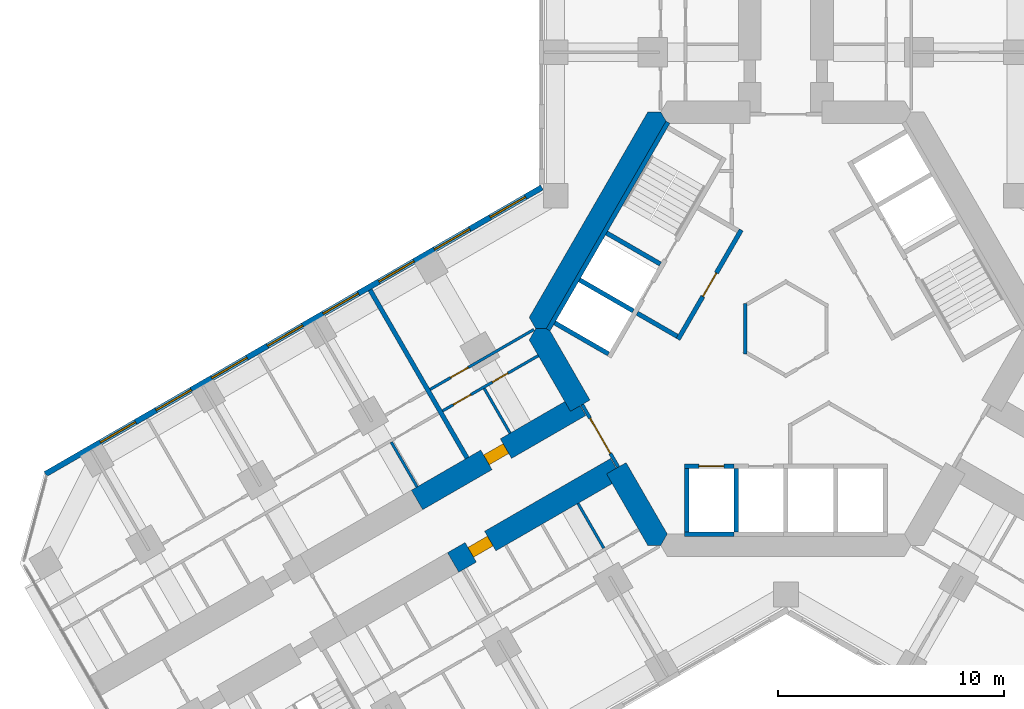
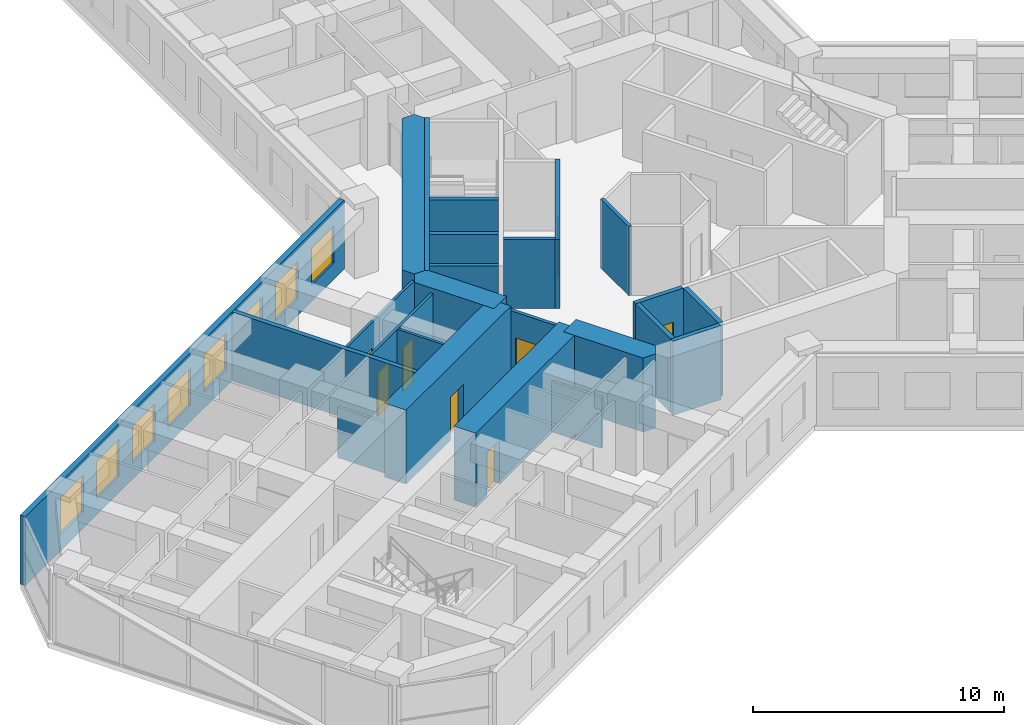
# One storey, part 12 of 21: 24 walls, 8 doors, 8 windows, 16 openings.
"""IFC4 building model written with IfcOpenShell, lengths in metres."""

from ifc_helpers import new_model, si_unit, direction, frame, frame_2d, origin, place, context, subcontext, project, spatial, polyline, rectangle, outline, extrude, material, layer, layer_set, type_object, element, fill, save


model = new_model("IFC4")

# Units and contexts
model_context = context("Model", 3, precision=1e-05, world=origin(), true_north=direction((0.0, 1.0)))
body_context = subcontext(model_context, "Body", "Model", "MODEL_VIEW")
ifc_project = project(units=[si_unit("LENGTHUNIT", "METRE"), si_unit("AREAUNIT", "SQUARE_METRE"), si_unit("VOLUMEUNIT", "CUBIC_METRE"), si_unit("PLANEANGLEUNIT", "RADIAN"), si_unit("MASSUNIT", "GRAM", prefix="KILO")], contexts=[model_context])

# Site, building, storey
site_placement = place(None, origin())
site = spatial("IfcSite", under=ifc_project, at=site_placement, CompositionType="ELEMENT")
building_placement = place(site_placement, origin())
building = spatial("IfcBuilding", under=site, at=building_placement, Name="Kosmar Iwan School Tower", CompositionType="ELEMENT")
storey_placement = place(building_placement, frame((0.0, 0.0, 43.0)))
storey = spatial("IfcBuildingStorey", under=building, at=storey_placement, Name="L09", CompositionType="ELEMENT", Elevation=43.0)

# Walls
ifc_material_1 = material(Name="Gypsum board on steel studs, fire-rated", Category="steel")
ifc_layer_1 = layer(ifc_material_1, 0.14990234375)
ifc_layer_set_1 = layer_set([ifc_layer_1], Name="Core room partition 150")
wall_type_1 = type_object("IfcWallType", Name="Core room partition 150", PredefinedType="PARTITIONING", material=ifc_layer_set_1)
wall_1_placement = place(storey_placement, frame((-1.800048828125, -1.1142578125, 0.0), z_axis=(0.0, 0.0, 1.0), x_axis=(0.0, 1.0, 0.0)))
element("IfcWall", 1, at=wall_1_placement, inside=storey, type_object=wall_type_1, Name="Core room partition L09-CW6", PredefinedType="PARTITIONING", context=body_context, shape_type="SweptSolid", body=[
    extrude(rectangle(XDim=2.228515625, YDim=0.14990234375, at=frame_2d((1.1142578125, 0.0))), origin(), (0.0, 0.0, 1.0), 3.35009765625),
])
ifc_material_2 = material(Name="Concrete C50/60", Category="concrete")
ifc_layer_2 = layer(ifc_material_2, 1.0)
ifc_layer_set_2 = layer_set([ifc_layer_2], Name="Core wall 1000")
wall_type_2 = type_object("IfcWallType", Name="Core wall 1000", PredefinedType="SHEAR", material=ifc_layer_set_2)
wall_2_placement = place(storey_placement, origin())
element("IfcWall", 2, at=wall_2_placement, inside=storey, type_object=wall_type_2, Name="Core wall F150", PredefinedType="SHEAR", context=body_context, shape_type="SweptSolid", body=[
    extrude(outline(polyline([(-11.085205078125, 0.0), (-10.5078125, 0.0), (-5.25390625, 9.10009765625), (-5.54248046875, 9.60009765625), (-6.119873046875, 9.60009765625), (-11.373779296875, 0.5), (-11.085205078125, 0.0)])), origin(), (0.0, 0.0, 1.0), 3.60009765625),
])
wall_3_placement = place(storey_placement, origin())
element("IfcWall", 3, at=wall_3_placement, inside=storey, type_object=wall_type_2, Name="Core wall F210a", PredefinedType="SHEAR", context=body_context, shape_type="SweptSolid", body=[
    extrude(outline(polyline([(-9.546875, -3.664306640625), (-8.680908203125, -3.164306640625), (-10.5078125, 0.0), (-11.085205078125, 0.0), (-11.373779296875, -0.5), (-9.546875, -3.664306640625)])), origin(), (0.0, 0.0, 1.0), 3.60009765625),
])
wall_4_placement = place(storey_placement, origin())
element("IfcWall", 4, at=wall_4_placement, inside=storey, type_object=wall_type_2, Name="Core wall F210b", PredefinedType="SHEAR", context=body_context, shape_type="SweptSolid", body=[
    extrude(outline(polyline([(-6.119873046875, -9.60009765625), (-5.54248046875, -9.60009765625), (-5.25390625, -9.10009765625), (-7.080810546875, -5.935546875), (-7.94677734375, -6.435546875), (-6.119873046875, -9.60009765625)])), origin(), (0.0, 0.0, 1.0), 3.60009765625),
])

# Wall, opening, door
ifc_material_3 = material(Name="Concrete C50/60", Category="concrete")
ifc_layer_3 = layer(ifc_material_3, 1.0)
ifc_layer_set_3 = layer_set([ifc_layer_3], Name="Corridor buttress wall 1000")
wall_type_3 = type_object("IfcWallType", Name="Corridor buttress wall 1000", PredefinedType="SHEAR", material=ifc_layer_set_3)
wall_5_placement = place(storey_placement, frame((-7.513916015625, -6.185546875, 0.0), z_axis=(0.0, 0.0, 1.0), x_axis=(-0.866019549707, -0.500010139422, 0.0)))
wall_5 = element("IfcWall", 5, at=wall_5_placement, inside=storey, type_object=wall_type_3, Name="Corridor wall BL", PredefinedType="SHEAR", context=body_context, shape_type="SweptSolid", body=[
    extrude(rectangle(XDim=8.349853515625, YDim=1.0, at=frame_2d((4.1748046875, 0.0))), origin(), (0.0, 0.0, 1.0), 3.60009765625),
])
opening_1_placement = place(wall_5_placement, frame((6.449951171875, 0.0, 0.0)))
opening_1 = element("IfcOpeningElement", 6, at=opening_1_placement, cuts=wall_5, Name="Opening D1", PredefinedType="OPENING", context=body_context, shape_type="SweptSolid", body=[
    extrude(rectangle(XDim=1.0, YDim=2.10009765625, at=frame_2d((0.5, 1.050048828125))), frame((0.0, 0.511962890625, 0.0), z_axis=(0.0, -1.0, 0.0), x_axis=(1.0, 0.0, 0.0)), (0.0, 0.0, 1.0), 1.02392578125),
])
ifc_material_4 = material(Name="Timber fire door in steel frame", Category="steel")
door_type_1 = type_object("IfcDoorType", Name="Flat entrance door 1000x2100", OperationType="SINGLE_SWING_LEFT", PredefinedType="DOOR", material=ifc_material_4)
door_1_placement = place(opening_1_placement, origin())
door_1 = element("IfcDoor", 7, at=door_1_placement, inside=storey, type_object=door_type_1, Name="Flat L09-BL1 entrance door", OperationType="SINGLE_SWING_LEFT", OverallHeight=2.10009765625, OverallWidth=1.0, PredefinedType="DOOR", context=body_context, shape_type="SweptSolid", body=[
    extrude(rectangle(XDim=1.0, YDim=2.10009765625, at=frame_2d((0.5, 1.050048828125))), frame((0.0, 0.25, 0.0), z_axis=(0.0, -1.0, 0.0), x_axis=(1.0, 0.0, 0.0)), (0.0, 0.0, 1.0), 0.5),
])
fill(opening_1, door_1)

wall_6_placement = place(storey_placement, frame((-9.11376953125, -3.414306640625, 0.0), z_axis=(0.0, 0.0, 1.0), x_axis=(-0.866026859388, -0.499997478812, 0.0)))
wall_6 = element("IfcWall", 8, at=wall_6_placement, inside=storey, type_object=wall_type_3, Name="Corridor wall BR", PredefinedType="SHEAR", context=body_context, shape_type="SweptSolid", body=[
    extrude(rectangle(XDim=8.35009765625, YDim=1.0, at=frame_2d((4.175048828125, 0.0))), origin(), (0.0, 0.0, 1.0), 3.60009765625),
])
opening_2_placement = place(wall_6_placement, frame((3.800048828125, 0.0, 0.0)))
opening_2 = element("IfcOpeningElement", 9, at=opening_2_placement, cuts=wall_6, Name="Opening D1", PredefinedType="OPENING", context=body_context, shape_type="SweptSolid", body=[
    extrude(rectangle(XDim=1.0, YDim=2.10009765625, at=frame_2d((0.5, 1.050048828125))), frame((0.0, 0.511962890625, 0.0), z_axis=(0.0, -1.0, 0.0), x_axis=(1.0, 0.0, 0.0)), (0.0, 0.0, 1.0), 1.02392578125),
])
door_2_placement = place(opening_2_placement, origin())
door_2 = element("IfcDoor", 10, at=door_2_placement, inside=storey, type_object=door_type_1, Name="Flat L09-BR1 entrance door", OperationType="SINGLE_SWING_RIGHT", OverallHeight=2.10009765625, OverallWidth=1.0, PredefinedType="DOOR", context=body_context, shape_type="SweptSolid", body=[
    extrude(rectangle(XDim=1.0, YDim=2.10009765625, at=frame_2d((0.5, 1.050048828125))), frame((0.0, 0.25, 0.0), z_axis=(0.0, -1.0, 0.0), x_axis=(1.0, 0.0, 0.0)), (0.0, 0.0, 1.0), 0.5),
])
fill(opening_2, door_2)

ifc_material_5 = material(Name="Steel framed glazed screen", Category="steel")
ifc_layer_4 = layer(ifc_material_5, 0.14990234375)
ifc_layer_set_4 = layer_set([ifc_layer_4], Name="Corridor screen wall 150")
wall_type_4 = type_object("IfcWallType", Name="Corridor screen wall 150", PredefinedType="PARTITIONING", material=ifc_layer_set_4)
wall_7_placement = place(storey_placement, frame((-9.02734375, -3.3642578125, 0.0), z_axis=(0.0, 0.0, 1.0), x_axis=(0.499995408039, -0.866028054938, 0.0)))
wall_7 = element("IfcWall", 11, at=wall_7_placement, inside=storey, type_object=wall_type_4, Name="Corridor screen B L09", PredefinedType="PARTITIONING", context=body_context, shape_type="SweptSolid", body=[
    extrude(rectangle(XDim=3.2001953125, YDim=0.14990234375, at=frame_2d((1.60009765625, 0.0))), origin(), (0.0, 0.0, 1.0), 3.35009765625),
])
opening_3_placement = place(wall_7_placement, frame((0.699951171875, 0.0, 0.0)))
opening_3 = element("IfcOpeningElement", 12, at=opening_3_placement, cuts=wall_7, Name="Opening D9", PredefinedType="OPENING", context=body_context, shape_type="SweptSolid", body=[
    extrude(rectangle(XDim=1.800048828125, YDim=2.10009765625, at=frame_2d((0.89990234375, 1.050048828125))), frame((0.0, 0.0869140625, 0.0), z_axis=(0.0, -1.0, 0.0), x_axis=(1.0, 0.0, 0.0)), (0.0, 0.0, 1.0), 0.173828125),
])
ifc_material_6 = material(Name="Steel framed glazed smoke door", Category="steel")
door_type_2 = type_object("IfcDoorType", Name="Corridor smoke door pair 1800x2100", OperationType="DOUBLE_DOOR_DOUBLE_SWING", PredefinedType="DOOR", material=ifc_material_6)
door_3_placement = place(opening_3_placement, origin())
door_3 = element("IfcDoor", 13, at=door_3_placement, inside=storey, type_object=door_type_2, Name="Corridor doors B L09", OperationType="DOUBLE_DOOR_DOUBLE_SWING", OverallHeight=2.10009765625, OverallWidth=1.800048828125, PredefinedType="DOOR", context=body_context, shape_type="SweptSolid", body=[
    extrude(rectangle(XDim=1.800048828125, YDim=2.10009765625, at=frame_2d((0.89990234375, 1.050048828125))), frame((0.0, 0.02490234375, 0.0), z_axis=(0.0, -1.0, 0.0), x_axis=(1.0, 0.0, 0.0)), (0.0, 0.0, 1.0), 0.050048828125),
])
fill(opening_3, door_3)

# Wall
ifc_material_7 = material(Name="Gypsum board on steel studs", Category="steel")
ifc_layer_5 = layer(ifc_material_7, 0.1201171875)
ifc_layer_set_5 = layer_set([ifc_layer_5], Name="Dwelling partition 120")
wall_type_5 = type_object("IfcWallType", Name="Dwelling partition 120", PredefinedType="PARTITIONING", material=ifc_layer_set_5)
wall_8_placement = place(storey_placement, frame((-9.21240234375, -7.74365234375, 0.0), z_axis=(0.0, 0.0, 1.0), x_axis=(0.500014693593, -0.866016920268, 0.0)))
element("IfcWall", 14, at=wall_8_placement, inside=storey, type_object=wall_type_5, Name="Partition L09-BL1-Y1", PredefinedType="PARTITIONING", context=body_context, shape_type="SweptSolid", body=[
    extrude(rectangle(XDim=2.2900390625, YDim=0.1201171875, at=frame_2d((1.14501953125, 0.0))), origin(), (0.0, 0.0, 1.0), 2.449951171875),
])

# Wall, openings, doors
wall_9_placement = place(storey_placement, frame((-10.971923828125, -1.1962890625, 0.0), z_axis=(0.0, 0.0, 1.0), x_axis=(-0.866023786258, -0.500002801628, 0.0)))
wall_9 = element("IfcWall", 15, at=wall_9_placement, inside=storey, type_object=wall_type_5, Name="Partition L09-BR1-W1", PredefinedType="PARTITIONING", context=body_context, shape_type="SweptSolid", body=[
    extrude(rectangle(XDim=4.89990234375, YDim=0.1201171875, at=frame_2d((2.449951171875, 0.0))), origin(), (0.0, 0.0, 1.0), 3.35009765625),
])
opening_4_placement = place(wall_9_placement, frame((1.550048828125, 0.0, 0.0)))
opening_4 = element("IfcOpeningElement", 16, at=opening_4_placement, cuts=wall_9, Name="Opening D3", PredefinedType="OPENING", context=body_context, shape_type="SweptSolid", body=[
    extrude(rectangle(XDim=0.800048828125, YDim=2.10009765625, at=frame_2d((0.39990234375, 1.050048828125))), frame((0.0, 0.072021484375, 0.0), z_axis=(0.0, -1.0, 0.0), x_axis=(1.0, 0.0, 0.0)), (0.0, 0.0, 1.0), 0.14404296875),
])
opening_5_placement = place(wall_9_placement, frame((3.449951171875, 0.0, 0.0)))
opening_5 = element("IfcOpeningElement", 17, at=opening_5_placement, cuts=wall_9, Name="Opening D2", PredefinedType="OPENING", context=body_context, shape_type="SweptSolid", body=[
    extrude(rectangle(XDim=0.89990234375, YDim=2.10009765625, at=frame_2d((0.449951171875, 1.050048828125))), frame((0.0, 0.072021484375, 0.0), z_axis=(0.0, -1.0, 0.0), x_axis=(1.0, 0.0, 0.0)), (0.0, 0.0, 1.0), 0.14404296875),
])
ifc_material_8 = material(Name="Timber door in timber frame", Category="wood")
door_type_3 = type_object("IfcDoorType", Name="Internal door 900x2100", OperationType="SINGLE_SWING_LEFT", PredefinedType="DOOR", material=ifc_material_8)
door_4_placement = place(opening_5_placement, origin())
door_4 = element("IfcDoor", 18, at=door_4_placement, inside=storey, type_object=door_type_3, Name="Entrance hall door L09-BR1-S2", OperationType="SINGLE_SWING_RIGHT", OverallHeight=2.10009765625, OverallWidth=0.89990234375, PredefinedType="DOOR", context=body_context, shape_type="SweptSolid", body=[
    extrude(rectangle(XDim=0.89990234375, YDim=2.10009765625, at=frame_2d((0.449951171875, 1.050048828125))), frame((0.0, 0.02490234375, 0.0), z_axis=(0.0, -1.0, 0.0), x_axis=(1.0, 0.0, 0.0)), (0.0, 0.0, 1.0), 0.050048828125),
])
fill(opening_5, door_4)
ifc_material_9 = material(Name="Timber door in timber frame", Category="wood")
door_type_4 = type_object("IfcDoorType", Name="Sanitary room door 800x2100", OperationType="SINGLE_SWING_LEFT", PredefinedType="DOOR", material=ifc_material_9)
door_5_placement = place(opening_4_placement, origin())
door_5 = element("IfcDoor", 19, at=door_5_placement, inside=storey, type_object=door_type_4, Name="Bathroom door L09-BR1-S1", OperationType="SINGLE_SWING_RIGHT", OverallHeight=2.10009765625, OverallWidth=0.800048828125, PredefinedType="DOOR", context=body_context, shape_type="SweptSolid", body=[
    extrude(rectangle(XDim=0.800048828125, YDim=2.10009765625, at=frame_2d((0.39990234375, 1.050048828125))), frame((0.0, 0.02490234375, 0.0), z_axis=(0.0, -1.0, 0.0), x_axis=(1.0, 0.0, 0.0)), (0.0, 0.0, 1.0), 0.050048828125),
])
fill(opening_4, door_5)

# Wall, opening, door
wall_10_placement = place(storey_placement, frame((-11.167724609375, -0.0390625, 0.0), z_axis=(0.0, 0.0, 1.0), x_axis=(-0.866018638731, -0.500011717233, 0.0)))
wall_10 = element("IfcWall", 20, at=wall_10_placement, inside=storey, type_object=wall_type_5, Name="Partition L09-BR1-W2", PredefinedType="PARTITIONING", context=body_context, shape_type="SweptSolid", body=[
    extrude(rectangle(XDim=5.308837890625, YDim=0.1201171875, at=frame_2d((2.654296875, 0.0))), origin(), (0.0, 0.0, 1.0), 3.35009765625),
])
opening_6_placement = place(wall_10_placement, frame((3.35888671875, 0.0, 0.0)))
opening_6 = element("IfcOpeningElement", 21, at=opening_6_placement, cuts=wall_10, Name="Opening D2", PredefinedType="OPENING", context=body_context, shape_type="SweptSolid", body=[
    extrude(rectangle(XDim=0.89990234375, YDim=2.10009765625, at=frame_2d((0.449951171875, 1.050048828125))), frame((0.0, 0.072021484375, 0.0), z_axis=(0.0, -1.0, 0.0), x_axis=(1.0, 0.0, 0.0)), (0.0, 0.0, 1.0), 0.14404296875),
])
door_6_placement = place(opening_6_placement, origin())
door_6 = element("IfcDoor", 22, at=door_6_placement, inside=storey, type_object=door_type_3, Name="Studio living room and kitchen door L09-BR1-F1", OperationType="SINGLE_SWING_RIGHT", OverallHeight=2.10009765625, OverallWidth=0.89990234375, PredefinedType="DOOR", context=body_context, shape_type="SweptSolid", body=[
    extrude(rectangle(XDim=0.89990234375, YDim=2.10009765625, at=frame_2d((0.449951171875, 1.050048828125))), frame((0.0, 0.02490234375, 0.0), z_axis=(0.0, -1.0, 0.0), x_axis=(1.0, 0.0, 0.0)), (0.0, 0.0, 1.0), 0.050048828125),
])
fill(opening_6, door_6)

# Walls
wall_11_placement = place(storey_placement, frame((-12.2216796875, -4.63134765625, 0.0), z_axis=(0.0, 0.0, 1.0), x_axis=(-0.500014693593, 0.866016920268, 0.0)))
element("IfcWall", 23, at=wall_11_placement, inside=storey, type_object=wall_type_5, Name="Partition L09-BR1-Y1", PredefinedType="PARTITIONING", context=body_context, shape_type="SweptSolid", body=[
    extrude(rectangle(XDim=2.2900390625, YDim=0.1201171875, at=frame_2d((1.14501953125, 0.0))), origin(), (0.0, 0.0, 1.0), 3.35009765625),
])
wall_12_placement = place(storey_placement, frame((-16.341552734375, -7.010009765625, 0.0), z_axis=(0.0, 0.0, 1.0), x_axis=(-0.499968531483, 0.866043571379, 0.0)))
element("IfcWall", 24, at=wall_12_placement, inside=storey, type_object=wall_type_5, Name="Partition L09-BR2-Y1", PredefinedType="PARTITIONING", context=body_context, shape_type="SweptSolid", body=[
    extrude(rectangle(XDim=2.290283203125, YDim=0.1201171875, at=frame_2d((1.14501953125, 0.0))), origin(), (0.0, 0.0, 1.0), 2.449951171875),
])

# Wall, openings, windows
ifc_material_10 = material(Name="Black aluminium rainscreen on insulated framing", Category="aluminium")
ifc_layer_6 = layer(ifc_material_10, 0.25)
ifc_layer_set_6 = layer_set([ifc_layer_6], Name="External wall rainscreen 250")
wall_type_6 = type_object("IfcWallType", Name="External wall rainscreen 250", PredefinedType="SOLIDWALL", material=ifc_layer_set_6)
wall_13_placement = place(storey_placement, frame((-10.8125, 6.257080078125, 0.0), z_axis=(0.0, 0.0, 1.0), x_axis=(-0.86602648281, -0.499998131069, 0.0)))
wall_13 = element("IfcWall", 25, at=wall_13_placement, inside=storey, type_object=wall_type_6, Name="External wall BR L09", PredefinedType="SOLIDWALL", context=body_context, shape_type="SweptSolid", body=[
    extrude(rectangle(XDim=25.39990234375, YDim=0.25, at=frame_2d((12.699951171875, 0.0))), origin(), (0.0, 0.0, 1.0), 3.35009765625),
])
opening_7_placement = place(wall_13_placement, frame((0.839599609375, 0.0, 0.800048828125)))
opening_7 = element("IfcOpeningElement", 26, at=opening_7_placement, cuts=wall_13, Name="Opening W1", PredefinedType="OPENING", context=body_context, shape_type="SweptSolid", body=[
    extrude(rectangle(XDim=1.800048828125, YDim=1.800048828125, at=frame_2d((0.89990234375, 0.89990234375))), frame((0.0, 0.136962890625, 0.0), z_axis=(0.0, -1.0, 0.0), x_axis=(1.0, 0.0, 0.0)), (0.0, 0.0, 1.0), 0.27392578125),
])
opening_8_placement = place(wall_13_placement, frame((3.689697265625, 0.0, 0.800048828125)))
opening_8 = element("IfcOpeningElement", 27, at=opening_8_placement, cuts=wall_13, Name="Opening W1", PredefinedType="OPENING", context=body_context, shape_type="SweptSolid", body=[
    extrude(rectangle(XDim=1.800048828125, YDim=1.800048828125, at=frame_2d((0.89990234375, 0.89990234375))), frame((0.0, 0.136962890625, 0.0), z_axis=(0.0, -1.0, 0.0), x_axis=(1.0, 0.0, 0.0)), (0.0, 0.0, 1.0), 0.27392578125),
])
opening_9_placement = place(wall_13_placement, frame((6.53955078125, 0.0, 0.800048828125)))
opening_9 = element("IfcOpeningElement", 28, at=opening_9_placement, cuts=wall_13, Name="Opening W1", PredefinedType="OPENING", context=body_context, shape_type="SweptSolid", body=[
    extrude(rectangle(XDim=1.800048828125, YDim=1.800048828125, at=frame_2d((0.89990234375, 0.89990234375))), frame((0.0, 0.136962890625, 0.0), z_axis=(0.0, -1.0, 0.0), x_axis=(1.0, 0.0, 0.0)), (0.0, 0.0, 1.0), 0.27392578125),
])
opening_10_placement = place(wall_13_placement, frame((9.3896484375, 0.0, 0.800048828125)))
opening_10 = element("IfcOpeningElement", 29, at=opening_10_placement, cuts=wall_13, Name="Opening W1", PredefinedType="OPENING", context=body_context, shape_type="SweptSolid", body=[
    extrude(rectangle(XDim=1.800048828125, YDim=1.800048828125, at=frame_2d((0.89990234375, 0.89990234375))), frame((0.0, 0.136962890625, 0.0), z_axis=(0.0, -1.0, 0.0), x_axis=(1.0, 0.0, 0.0)), (0.0, 0.0, 1.0), 0.27392578125),
])
opening_11_placement = place(wall_13_placement, frame((12.23974609375, 0.0, 0.800048828125)))
opening_11 = element("IfcOpeningElement", 30, at=opening_11_placement, cuts=wall_13, Name="Opening W1", PredefinedType="OPENING", context=body_context, shape_type="SweptSolid", body=[
    extrude(rectangle(XDim=1.800048828125, YDim=1.800048828125, at=frame_2d((0.89990234375, 0.89990234375))), frame((0.0, 0.136962890625, 0.0), z_axis=(0.0, -1.0, 0.0), x_axis=(1.0, 0.0, 0.0)), (0.0, 0.0, 1.0), 0.27392578125),
])
opening_12_placement = place(wall_13_placement, frame((15.089599609375, 0.0, 0.800048828125)))
opening_12 = element("IfcOpeningElement", 31, at=opening_12_placement, cuts=wall_13, Name="Opening W1", PredefinedType="OPENING", context=body_context, shape_type="SweptSolid", body=[
    extrude(rectangle(XDim=1.800048828125, YDim=1.800048828125, at=frame_2d((0.89990234375, 0.89990234375))), frame((0.0, 0.136962890625, 0.0), z_axis=(0.0, -1.0, 0.0), x_axis=(1.0, 0.0, 0.0)), (0.0, 0.0, 1.0), 0.27392578125),
])
opening_13_placement = place(wall_13_placement, frame((17.939697265625, 0.0, 0.800048828125)))
opening_13 = element("IfcOpeningElement", 32, at=opening_13_placement, cuts=wall_13, Name="Opening W1", PredefinedType="OPENING", context=body_context, shape_type="SweptSolid", body=[
    extrude(rectangle(XDim=1.800048828125, YDim=1.800048828125, at=frame_2d((0.89990234375, 0.89990234375))), frame((0.0, 0.136962890625, 0.0), z_axis=(0.0, -1.0, 0.0), x_axis=(1.0, 0.0, 0.0)), (0.0, 0.0, 1.0), 0.27392578125),
])
opening_14_placement = place(wall_13_placement, frame((20.78955078125, 0.0, 0.800048828125)))
opening_14 = element("IfcOpeningElement", 33, at=opening_14_placement, cuts=wall_13, Name="Opening W1", PredefinedType="OPENING", context=body_context, shape_type="SweptSolid", body=[
    extrude(rectangle(XDim=1.800048828125, YDim=1.800048828125, at=frame_2d((0.89990234375, 0.89990234375))), frame((0.0, 0.136962890625, 0.0), z_axis=(0.0, -1.0, 0.0), x_axis=(1.0, 0.0, 0.0)), (0.0, 0.0, 1.0), 0.27392578125),
])
ifc_material_11 = material(Name="Black aluminium frame with dark triple glazing", Category="aluminium")
window_type = type_object("IfcWindowType", Name="Window 1800x1800", PartitioningType="SINGLE_PANEL", PredefinedType="WINDOW", material=ifc_material_11)
window_1_placement = place(opening_7_placement, origin())
window_1 = element("IfcWindow", 34, at=window_1_placement, inside=storey, type_object=window_type, Name="Window BR L09 -1", OverallHeight=1.800048828125, OverallWidth=1.800048828125, PartitioningType="SINGLE_PANEL", PredefinedType="WINDOW", context=body_context, shape_type="SweptSolid", body=[
    extrude(rectangle(XDim=1.800048828125, YDim=1.800048828125, at=frame_2d((0.89990234375, 0.89990234375))), frame((0.0, 0.030029296875, 0.0), z_axis=(0.0, -1.0, 0.0), x_axis=(1.0, 0.0, 0.0)), (0.0, 0.0, 1.0), 0.06005859375),
])
fill(opening_7, window_1)
window_2_placement = place(opening_8_placement, origin())
window_2 = element("IfcWindow", 35, at=window_2_placement, inside=storey, type_object=window_type, Name="Window BR L09 0", OverallHeight=1.800048828125, OverallWidth=1.800048828125, PartitioningType="SINGLE_PANEL", PredefinedType="WINDOW", context=body_context, shape_type="SweptSolid", body=[
    extrude(rectangle(XDim=1.800048828125, YDim=1.800048828125, at=frame_2d((0.89990234375, 0.89990234375))), frame((0.0, 0.030029296875, 0.0), z_axis=(0.0, -1.0, 0.0), x_axis=(1.0, 0.0, 0.0)), (0.0, 0.0, 1.0), 0.06005859375),
])
fill(opening_8, window_2)
window_3_placement = place(opening_9_placement, origin())
window_3 = element("IfcWindow", 36, at=window_3_placement, inside=storey, type_object=window_type, Name="Window BR L09 1", OverallHeight=1.800048828125, OverallWidth=1.800048828125, PartitioningType="SINGLE_PANEL", PredefinedType="WINDOW", context=body_context, shape_type="SweptSolid", body=[
    extrude(rectangle(XDim=1.800048828125, YDim=1.800048828125, at=frame_2d((0.89990234375, 0.89990234375))), frame((0.0, 0.030029296875, 0.0), z_axis=(0.0, -1.0, 0.0), x_axis=(1.0, 0.0, 0.0)), (0.0, 0.0, 1.0), 0.06005859375),
])
fill(opening_9, window_3)
window_4_placement = place(opening_10_placement, origin())
window_4 = element("IfcWindow", 37, at=window_4_placement, inside=storey, type_object=window_type, Name="Window BR L09 2", OverallHeight=1.800048828125, OverallWidth=1.800048828125, PartitioningType="SINGLE_PANEL", PredefinedType="WINDOW", context=body_context, shape_type="SweptSolid", body=[
    extrude(rectangle(XDim=1.800048828125, YDim=1.800048828125, at=frame_2d((0.89990234375, 0.89990234375))), frame((0.0, 0.030029296875, 0.0), z_axis=(0.0, -1.0, 0.0), x_axis=(1.0, 0.0, 0.0)), (0.0, 0.0, 1.0), 0.06005859375),
])
fill(opening_10, window_4)
window_5_placement = place(opening_11_placement, origin())
window_5 = element("IfcWindow", 38, at=window_5_placement, inside=storey, type_object=window_type, Name="Window BR L09 3", OverallHeight=1.800048828125, OverallWidth=1.800048828125, PartitioningType="SINGLE_PANEL", PredefinedType="WINDOW", context=body_context, shape_type="SweptSolid", body=[
    extrude(rectangle(XDim=1.800048828125, YDim=1.800048828125, at=frame_2d((0.89990234375, 0.89990234375))), frame((0.0, 0.030029296875, 0.0), z_axis=(0.0, -1.0, 0.0), x_axis=(1.0, 0.0, 0.0)), (0.0, 0.0, 1.0), 0.06005859375),
])
fill(opening_11, window_5)
window_6_placement = place(opening_12_placement, origin())
window_6 = element("IfcWindow", 39, at=window_6_placement, inside=storey, type_object=window_type, Name="Window BR L09 4", OverallHeight=1.800048828125, OverallWidth=1.800048828125, PartitioningType="SINGLE_PANEL", PredefinedType="WINDOW", context=body_context, shape_type="SweptSolid", body=[
    extrude(rectangle(XDim=1.800048828125, YDim=1.800048828125, at=frame_2d((0.89990234375, 0.89990234375))), frame((0.0, 0.030029296875, 0.0), z_axis=(0.0, -1.0, 0.0), x_axis=(1.0, 0.0, 0.0)), (0.0, 0.0, 1.0), 0.06005859375),
])
fill(opening_12, window_6)
window_7_placement = place(opening_13_placement, origin())
window_7 = element("IfcWindow", 40, at=window_7_placement, inside=storey, type_object=window_type, Name="Window BR L09 5", OverallHeight=1.800048828125, OverallWidth=1.800048828125, PartitioningType="SINGLE_PANEL", PredefinedType="WINDOW", context=body_context, shape_type="SweptSolid", body=[
    extrude(rectangle(XDim=1.800048828125, YDim=1.800048828125, at=frame_2d((0.89990234375, 0.89990234375))), frame((0.0, 0.030029296875, 0.0), z_axis=(0.0, -1.0, 0.0), x_axis=(1.0, 0.0, 0.0)), (0.0, 0.0, 1.0), 0.06005859375),
])
fill(opening_13, window_7)
window_8_placement = place(opening_14_placement, origin())
window_8 = element("IfcWindow", 41, at=window_8_placement, inside=storey, type_object=window_type, Name="Window BR L09 6", OverallHeight=1.800048828125, OverallWidth=1.800048828125, PartitioningType="SINGLE_PANEL", PredefinedType="WINDOW", context=body_context, shape_type="SweptSolid", body=[
    extrude(rectangle(XDim=1.800048828125, YDim=1.800048828125, at=frame_2d((0.89990234375, 0.89990234375))), frame((0.0, 0.030029296875, 0.0), z_axis=(0.0, -1.0, 0.0), x_axis=(1.0, 0.0, 0.0)), (0.0, 0.0, 1.0), 0.06005859375),
])
fill(opening_14, window_8)

# Wall, opening, door
ifc_material_12 = material(Name="Concrete block masonry", Category="masonry")
ifc_layer_7 = layer(ifc_material_12, 0.199951171875)
ifc_layer_set_7 = layer_set([ifc_layer_7], Name="Fire lobby wall 200")
wall_type_7 = type_object("IfcWallType", Name="Fire lobby wall 200", PredefinedType="PARTITIONING", material=ifc_layer_set_7)
wall_14_placement = place(storey_placement, frame((-1.9775390625, 4.374755859375, 0.0), z_axis=(0.0, 0.0, 1.0), x_axis=(-0.500016814911, -0.866015695474, 0.0)))
wall_14 = element("IfcWall", 42, at=wall_14_placement, inside=storey, type_object=wall_type_7, Name="Firefighting lobby wall ST2", PredefinedType="PARTITIONING", context=body_context, shape_type="SweptSolid", body=[
    extrude(rectangle(XDim=5.599853515625, YDim=0.199951171875, at=frame_2d((2.7998046875, 0.0))), origin(), (0.0, 0.0, 1.0), 3.35009765625),
])
opening_15_placement = place(wall_14_placement, frame((2.199951171875, 0.0, 0.0)))
opening_15 = element("IfcOpeningElement", 43, at=opening_15_placement, cuts=wall_14, Name="Opening D7", PredefinedType="OPENING", context=body_context, shape_type="SweptSolid", body=[
    extrude(rectangle(XDim=1.199951171875, YDim=2.10009765625, at=frame_2d((0.60009765625, 1.050048828125))), frame((0.0, 0.112060546875, 0.0), z_axis=(0.0, -1.0, 0.0), x_axis=(1.0, 0.0, 0.0)), (0.0, 0.0, 1.0), 0.223876953125),
])
ifc_material_13 = material(Name="Steel fire door", Category="steel")
door_type_5 = type_object("IfcDoorType", Name="Fire lobby door 1200x2100", OperationType="SINGLE_SWING_LEFT", PredefinedType="DOOR", material=ifc_material_13)
door_7_placement = place(opening_15_placement, origin())
door_7 = element("IfcDoor", 44, at=door_7_placement, inside=storey, type_object=door_type_5, Name="Firefighting lobby door ST2 L09", OperationType="SINGLE_SWING_RIGHT", OverallHeight=2.10009765625, OverallWidth=1.199951171875, PredefinedType="DOOR", context=body_context, shape_type="SweptSolid", body=[
    extrude(rectangle(XDim=1.199951171875, YDim=2.10009765625, at=frame_2d((0.60009765625, 1.050048828125))), frame((0.0, 0.02490234375, 0.0), z_axis=(0.0, -1.0, 0.0), x_axis=(1.0, 0.0, 0.0)), (0.0, 0.0, 1.0), 0.050048828125),
])
fill(opening_15, door_7)

# Walls
wall_15_placement = place(storey_placement, frame((-4.814208984375, -0.33837890625, 0.0), z_axis=(0.0, 0.0, 1.0), x_axis=(-0.865969381856, 0.500097020274, 0.0)))
element("IfcWall", 45, at=wall_15_placement, inside=storey, type_object=wall_type_7, Name="Firefighting lobby wall ST2", PredefinedType="PARTITIONING", context=body_context, shape_type="SweptSolid", body=[
    extrude(rectangle(XDim=2.0498046875, YDim=0.199951171875, at=frame_2d((1.02490234375, 0.0))), origin(), (0.0, 0.0, 1.0), 3.35009765625),
])
ifc_material_14 = material(Name="Concrete C50/60", Category="concrete")
ifc_layer_8 = layer(ifc_material_14, 0.199951171875)
ifc_layer_set_8 = layer_set([ifc_layer_8], Name="Lift shaft wall 200")
wall_type_8 = type_object("IfcWallType", Name="Lift shaft wall 200", PredefinedType="SHEAR", material=ifc_layer_set_8)
wall_16_placement = place(storey_placement, frame((-5.22509765625, 9.14990234375, 0.0), z_axis=(0.0, 0.0, 1.0), x_axis=(-0.499994998079, -0.866028291626, 0.0)))
element("IfcWall", 46, at=wall_16_placement, inside=storey, type_object=wall_type_8, Name="Lift and stair back wall AB", PredefinedType="SHEAR", context=body_context, shape_type="SweptSolid", body=[
    extrude(rectangle(XDim=10.623046875, YDim=0.199951171875, at=frame_2d((5.3115234375, 0.0))), origin(), (0.0, 0.0, 1.0), 3.60009765625),
])
for number, where, z_axis, x_axis, name in (
    (47, (-6.7626953125, 0.78662109375, 0.0), (0.0, 0.0, 1.0), (-0.866027397988, 0.499996545922, 0.0), "Lift shaft wall AB 1"),
    (48, (-7.862548828125, -1.118408203125, 0.0), (0.0, 0.0, 1.0), (-0.866027397988, 0.499996545922, 0.0), "Lift shaft wall AB 2"),
):
    element("IfcWall", number, at=place(storey_placement, frame(where, z_axis=z_axis, x_axis=x_axis)), inside=storey, type_object=wall_type_8, Name=name, PredefinedType="SHEAR", context=body_context, shape_type="SweptSolid", body=[
        extrude(rectangle(XDim=2.75, YDim=0.199951171875, at=frame_2d((1.375, 0.0))), origin(), (0.0, 0.0, 1.0), 3.60009765625),
    ])

# Wall, opening, door
wall_17_placement = place(storey_placement, frame((-4.5, -6.10009765625, 0.0), z_axis=(0.0, 0.0, 1.0), x_axis=(1.0, 0.0, 0.0)))
wall_17 = element("IfcWall", 49, at=wall_17_placement, inside=storey, type_object=wall_type_8, Name="Lift and stair front wall BC", PredefinedType="SHEAR", context=body_context, shape_type="SweptSolid", body=[
    extrude(rectangle(XDim=2.199951171875, YDim=0.199951171875, at=frame_2d((1.10009765625, 0.0))), origin(), (0.0, 0.0, 1.0), 3.60009765625),
])
opening_16_placement = place(wall_17_placement, frame((0.64990234375, 0.0, 0.0)))
opening_16 = element("IfcOpeningElement", 50, at=opening_16_placement, cuts=wall_17, Name="Opening LD1", PredefinedType="OPENING", context=body_context, shape_type="SweptSolid", body=[
    extrude(rectangle(XDim=1.10009765625, YDim=2.10009765625, at=frame_2d((0.550048828125, 1.050048828125))), frame((0.0, 0.112060546875, 0.0), z_axis=(0.0, -1.0, 0.0), x_axis=(1.0, 0.0, 0.0)), (0.0, 0.0, 1.0), 0.223876953125),
])
ifc_material_15 = material(Name="Stainless steel sliding lift door", Category="steel")
door_type_6 = type_object("IfcDoorType", Name="Lift landing door 1100x2100", OperationType="SLIDING_TO_LEFT", PredefinedType="DOOR", material=ifc_material_15)
door_8_placement = place(opening_16_placement, origin())
door_8 = element("IfcDoor", 51, at=door_8_placement, inside=storey, type_object=door_type_6, Name="Lift PL1 landing door L09", OperationType="SLIDING_TO_LEFT", OverallHeight=2.10009765625, OverallWidth=1.10009765625, PredefinedType="DOOR", context=body_context, shape_type="SweptSolid", body=[
    extrude(rectangle(XDim=1.10009765625, YDim=2.10009765625, at=frame_2d((0.550048828125, 1.050048828125))), frame((0.0, 0.02490234375, 0.0), z_axis=(0.0, -1.0, 0.0), x_axis=(1.0, 0.0, 0.0)), (0.0, 0.0, 1.0), 0.050048828125),
])
fill(opening_16, door_8)

# Walls
wall_18_placement = place(storey_placement, frame((-4.5, -9.10009765625, 0.0), z_axis=(0.0, 0.0, 1.0), x_axis=(1.0, 0.0, 0.0)))
element("IfcWall", 52, at=wall_18_placement, inside=storey, type_object=wall_type_8, Name="Lift and stair back wall BC", PredefinedType="SHEAR", context=body_context, shape_type="SweptSolid", body=[
    extrude(rectangle(XDim=2.199951171875, YDim=0.199951171875, at=frame_2d((1.10009765625, 0.0))), origin(), (0.0, 0.0, 1.0), 3.60009765625),
])
for number, where, z_axis, x_axis, name in (
    (53, (-4.39990234375, -6.199951171875, 0.0), (0.0, 0.0, 1.0), (0.0, -1.0, 0.0), "Lift shaft wall BC 0"),
    (54, (-2.199951171875, -6.199951171875, 0.0), (0.0, 0.0, 1.0), (0.0, -1.0, 0.0), "Lift shaft wall BC 1"),
):
    element("IfcWall", number, at=place(storey_placement, frame(where, z_axis=z_axis, x_axis=x_axis)), inside=storey, type_object=wall_type_8, Name=name, PredefinedType="SHEAR", context=body_context, shape_type="SweptSolid", body=[
        extrude(rectangle(XDim=2.800048828125, YDim=0.199951171875, at=frame_2d((1.39990234375, 0.0))), origin(), (0.0, 0.0, 1.0), 3.60009765625),
    ])
ifc_material_16 = material(Name="Concrete block masonry", Category="masonry")
ifc_layer_9 = layer(ifc_material_16, 0.199951171875)
ifc_layer_set_9 = layer_set([ifc_layer_9], Name="Party wall 200")
wall_type_9 = type_object("IfcWallType", Name="Party wall 200", PredefinedType="PARTITIONING", material=ifc_layer_set_9)
wall_19_placement = place(storey_placement, frame((-14.126953125, -5.7314453125, 0.0), z_axis=(0.0, 0.0, 1.0), x_axis=(-0.499995216735, 0.866028165386, 0.0)))
element("IfcWall", 55, at=wall_19_placement, inside=storey, type_object=wall_type_9, Name="Partition L09-BR2-PW", PredefinedType="PARTITIONING", context=body_context, shape_type="SweptSolid", body=[
    extrude(rectangle(XDim=8.60009765625, YDim=0.199951171875, at=frame_2d((4.300048828125, 0.0))), origin(), (0.0, 0.0, 1.0), 3.35009765625),
])
ifc_material_17 = material(Name="Concrete C50/60", Category="concrete")
ifc_layer_10 = layer(ifc_material_17, 0.199951171875)
ifc_layer_set_10 = layer_set([ifc_layer_10], Name="Stair enclosure wall 200")
wall_type_10 = type_object("IfcWallType", Name="Stair enclosure wall 200", PredefinedType="SHEAR", material=ifc_layer_set_10)
wall_20_placement = place(storey_placement, frame((-5.562744140625, 2.865234375, 0.0), z_axis=(0.0, 0.0, 1.0), x_axis=(-0.866027397988, 0.499996545922, 0.0)))
element("IfcWall", 56, at=wall_20_placement, inside=storey, type_object=wall_type_10, Name="Stair ST2 wall", PredefinedType="SHEAR", context=body_context, shape_type="SweptSolid", body=[
    extrude(rectangle(XDim=2.75, YDim=0.199951171875, at=frame_2d((1.375, 0.0))), origin(), (0.0, 0.0, 1.0), 3.60009765625),
])

save(model, "model.ifc")
